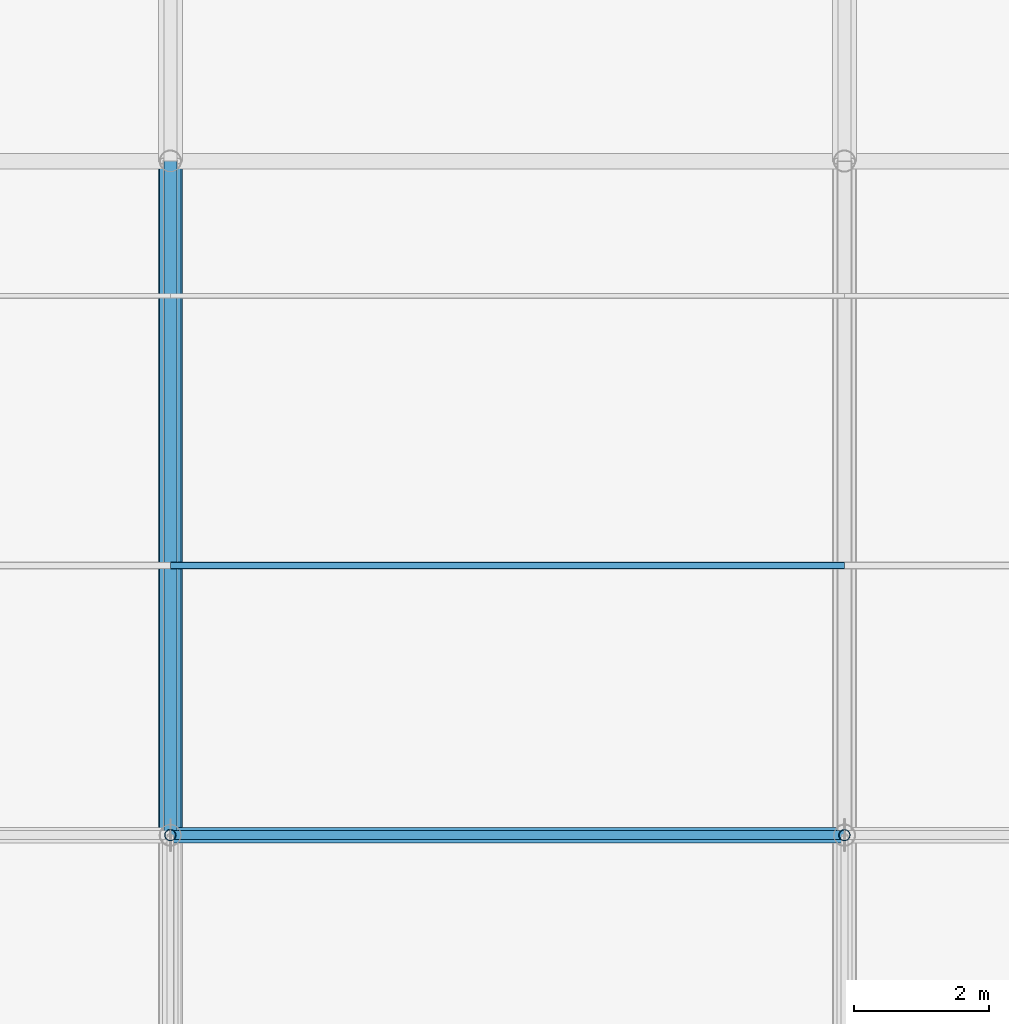
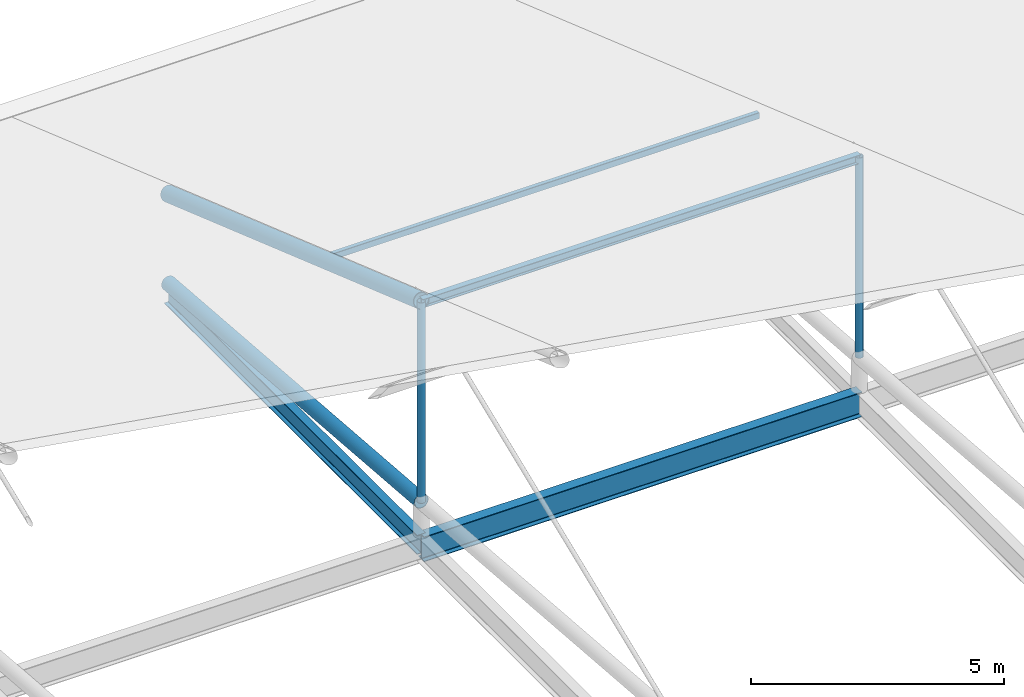
# One storey, part 44 of 93: 6 members, 2 beams.
"""IFC4 building model written with IfcOpenShell, lengths in metres."""

from ifc_helpers import new_model, si_unit, derived_unit, direction, frame, origin, origin_2d_with_axis, place, context, subcontext, project, spatial, hollow_rectangle, hollow_circle, i_section, extrude, material, material_profile, profile_set, type_object, element, save


model = new_model("IFC4")

# Units and contexts
model_context = context("Model", 3, precision=1e-05, world=origin(), true_north=direction((0.0, 1.0)))
body_context = subcontext(model_context, "Body", "Model", "MODEL_VIEW")
ifc_project = project(units=[si_unit("LENGTHUNIT", "METRE"), si_unit("AREAUNIT", "SQUARE_METRE"), si_unit("VOLUMEUNIT", "CUBIC_METRE"), si_unit("PLANEANGLEUNIT", "RADIAN"), si_unit("MASSUNIT", "GRAM", prefix="KILO"), derived_unit("THERMALTRANSMITTANCEUNIT", [(si_unit("POWERUNIT", "WATT"), 1), (si_unit("LENGTHUNIT", "METRE"), -2), (si_unit("THERMODYNAMICTEMPERATUREUNIT", "KELVIN"), -1)])], contexts=[model_context])

# Site, building, storey
site_placement = place(None, origin())
site = spatial("IfcSite", under=ifc_project, at=site_placement, CompositionType="ELEMENT")
building_placement = place(site_placement, origin())
building = spatial("IfcBuilding", under=site, at=building_placement, Name="Cinnabar Yard Market Hall", CompositionType="ELEMENT")
storey_placement = place(building_placement, frame((0.0, 0.0, 23.800048828125)))
storey = spatial("IfcBuildingStorey", under=building, at=storey_placement, Name="ROOF", CompositionType="ELEMENT", Elevation=23.800048828125)

# Beams
ifc_material_1 = material(Name="Steel Grade 300 (300 MPa)", Category="steel")
ifc_material_profile_1 = material_profile(ifc_material_1, i_section(OverallWidth=0.22802734375, OverallDepth=0.60205078125, WebThickness=0.010498046875, FlangeThickness=0.014892578125, FilletRadius=0.013916015625, at=origin_2d_with_axis()), Name="610UB101")
ifc_profile_set_1 = profile_set([ifc_material_profile_1], Name="Steel Grade 300 (300 MPa)")
beam_type_1 = type_object("IfcBeamType", Name="BM-B02", PredefinedType="BEAM", material=ifc_profile_set_1)
beam_1_placement = place(storey_placement, frame((106.0, 64.0, -9.700927734375), z_axis=(1.0, 0.0, 0.0), x_axis=(0.0, 1.0, 0.0)))
element("IfcBeam", 1, at=beam_1_placement, inside=storey, type_object=beam_type_1, Name="Hall Longitudinal Tie Girder 00407", PredefinedType="BEAM", context=body_context, shape_type="SweptSolid", body=[
    extrude(i_section(OverallWidth=0.22802734375, OverallDepth=0.60205078125, WebThickness=0.010498046875, FlangeThickness=0.014892578125, FilletRadius=0.013916015625, at=origin_2d_with_axis()), origin(), (0.0, 0.0, 1.0), 10.0),
])
ifc_material_profile_2 = material_profile(ifc_material_1, i_section(OverallWidth=0.19091796875, OverallDepth=0.46044921875, WebThickness=0.010009765625, FlangeThickness=0.01611328125, FilletRadius=0.011474609375, at=origin_2d_with_axis()), Name="460UB82.1")
ifc_profile_set_2 = profile_set([ifc_material_profile_2], Name="Steel Grade 300 (300 MPa)")
beam_type_2 = type_object("IfcBeamType", Name="BM-B04", PredefinedType="BEAM", material=ifc_profile_set_2)
beam_2_placement = place(storey_placement, frame((106.0, 64.0, -9.630126953125), z_axis=(0.0, 1.0, 0.0), x_axis=(-1.0, 0.0, 0.0)))
element("IfcBeam", 2, at=beam_2_placement, inside=storey, type_object=beam_type_2, Name="North Chhajja Backspan Girder 00530", PredefinedType="BEAM", context=body_context, shape_type="SweptSolid", body=[
    extrude(i_section(OverallWidth=0.19091796875, OverallDepth=0.46044921875, WebThickness=0.010009765625, FlangeThickness=0.01611328125, FilletRadius=0.011474609375, at=origin_2d_with_axis()), origin(), (0.0, 0.0, 1.0), 10.0),
])

# Members
ifc_material_2 = material(Name="Cold-formed steel C350L0", Category="steel")
ifc_material_profile_3 = material_profile(ifc_material_2, hollow_circle(Radius=0.161865234375, WallThickness=0.009521484375, at=origin_2d_with_axis()), Name="323.9x9.5CHS")
ifc_profile_set_3 = profile_set([ifc_material_profile_3], Name="Cold-formed steel C350L0")
member_type_1 = type_object("IfcMemberType", Name="MB-BC01", PredefinedType="CHORD", material=ifc_profile_set_3)
member_1_placement = place(storey_placement, frame((106.0, 64.0, -8.60009765625), z_axis=(0.0, 0.99681489162, -0.07975005859), x_axis=(-1.0, 0.0, 0.0)))
element("IfcMember", 3, at=member_1_placement, inside=storey, type_object=member_type_1, Name="Hall Truss 106 Bottom Chord 6", PredefinedType="CHORD", context=body_context, shape_type="SweptSolid", body=[
    extrude(hollow_circle(Radius=0.161865234375, WallThickness=0.009521484375, at=origin_2d_with_axis()), origin(), (0.0, 0.0, 1.0), 10.031982421875),
])
ifc_material_profile_4 = material_profile(ifc_material_1, i_section(OverallWidth=0.134033203125, OverallDepth=0.20703125, WebThickness=0.00634765625, FlangeThickness=0.009521484375, FilletRadius=0.0087890625, at=origin_2d_with_axis()), Name="200UB29.8")
ifc_profile_set_4 = profile_set([ifc_material_profile_4], Name="Steel Grade 300 (300 MPa)")
member_type_2 = type_object("IfcMemberType", Name="MB-PU02", PredefinedType="PURLIN", material=ifc_profile_set_4)
member_2_placement = place(storey_placement, frame((106.0, 64.0, -3.80126953125), z_axis=(1.0, 0.0, 0.0), x_axis=(0.0, 1.0, 0.0)))
element("IfcMember", 4, at=member_2_placement, inside=storey, type_object=member_type_2, Name="Hall Roof Purlin Y64 X106", PredefinedType="PURLIN", context=body_context, shape_type="SweptSolid", body=[
    extrude(i_section(OverallWidth=0.134033203125, OverallDepth=0.20703125, WebThickness=0.00634765625, FlangeThickness=0.009521484375, FilletRadius=0.0087890625, at=origin_2d_with_axis()), origin(), (0.0, 0.0, 1.0), 10.0),
])
ifc_material_profile_5 = material_profile(ifc_material_2, hollow_rectangle(XDim=0.10009765625, YDim=0.14990234375, WallThickness=0.0048828125, InnerFilletRadius=0.0048828125, OuterFilletRadius=0.010009765625, at=origin_2d_with_axis()), Name="150x100x5.0RHS")
ifc_profile_set_5 = profile_set([ifc_material_profile_5], Name="Cold-formed steel C350L0")
member_type_3 = type_object("IfcMemberType", Name="MB-PU03", PredefinedType="PURLIN", material=ifc_profile_set_5)
member_3_placement = place(storey_placement, frame((106.0, 68.0, -5.193603515625), z_axis=(1.0, 0.0, 0.0), x_axis=(0.0, 1.0, 0.0)))
element("IfcMember", 5, at=member_3_placement, inside=storey, type_object=member_type_3, Name="Hall Roof Purlin Y68 X106", PredefinedType="PURLIN", context=body_context, shape_type="SweptSolid", body=[
    extrude(hollow_rectangle(XDim=0.10009765625, YDim=0.14990234375, WallThickness=0.0048828125, InnerFilletRadius=0.0048828125, OuterFilletRadius=0.010009765625, at=origin_2d_with_axis()), origin(), (0.0, 0.0, 1.0), 10.0),
])
ifc_material_profile_6 = material_profile(ifc_material_2, hollow_circle(Radius=0.177734375, WallThickness=0.0126953125, at=origin_2d_with_axis()), Name="355.6x12.7CHS")
ifc_profile_set_6 = profile_set([ifc_material_profile_6], Name="Cold-formed steel C350L0")
member_type_4 = type_object("IfcMemberType", Name="MB-TC01", PredefinedType="CHORD", material=ifc_profile_set_6)
member_4_placement = place(storey_placement, frame((106.0, 64.0, -3.76123046875), z_axis=(0.0, 0.944424919483, -0.328727199147), x_axis=(-1.0, 0.0, 0.0)))
element("IfcMember", 6, at=member_4_placement, inside=storey, type_object=member_type_4, Name="Hall Truss 106 Top Chord 6", PredefinedType="CHORD", context=body_context, shape_type="SweptSolid", body=[
    extrude(hollow_circle(Radius=0.177734375, WallThickness=0.0126953125, at=origin_2d_with_axis()), origin(), (0.0, 0.0, 1.0), 10.58837890625),
])
ifc_material_profile_7 = material_profile(ifc_material_2, hollow_circle(Radius=0.084228515625, WallThickness=0.00634765625, at=origin_2d_with_axis()), Name="168.3x6.4CHS")
ifc_profile_set_7 = profile_set([ifc_material_profile_7], Name="Cold-formed steel C350L0")
member_type_5 = type_object("IfcMemberType", Name="MB-WB01", PredefinedType="STRUT", material=ifc_profile_set_7)
for number, where, z_axis, x_axis, name in (
    (7, (106.0, 64.0, -8.60009765625), (0.0, 0.0, 1.0), (1.0, 0.0, 0.0), "Hall Truss 106 Post 5"),
    (8, (116.0, 64.0, -8.60009765625), (0.0, 0.0, 1.0), (1.0, 0.0, 0.0), "Hall Truss 116 Post 5"),
):
    element("IfcMember", number, at=place(storey_placement, frame(where, z_axis=z_axis, x_axis=x_axis)), inside=storey, type_object=member_type_5, Name=name, PredefinedType="STRUT", context=body_context, shape_type="SweptSolid", body=[
        extrude(hollow_circle(Radius=0.084228515625, WallThickness=0.00634765625, at=origin_2d_with_axis()), origin(), (0.0, 0.0, 1.0), 4.8388671875),
    ])

save(model, "model.ifc")
